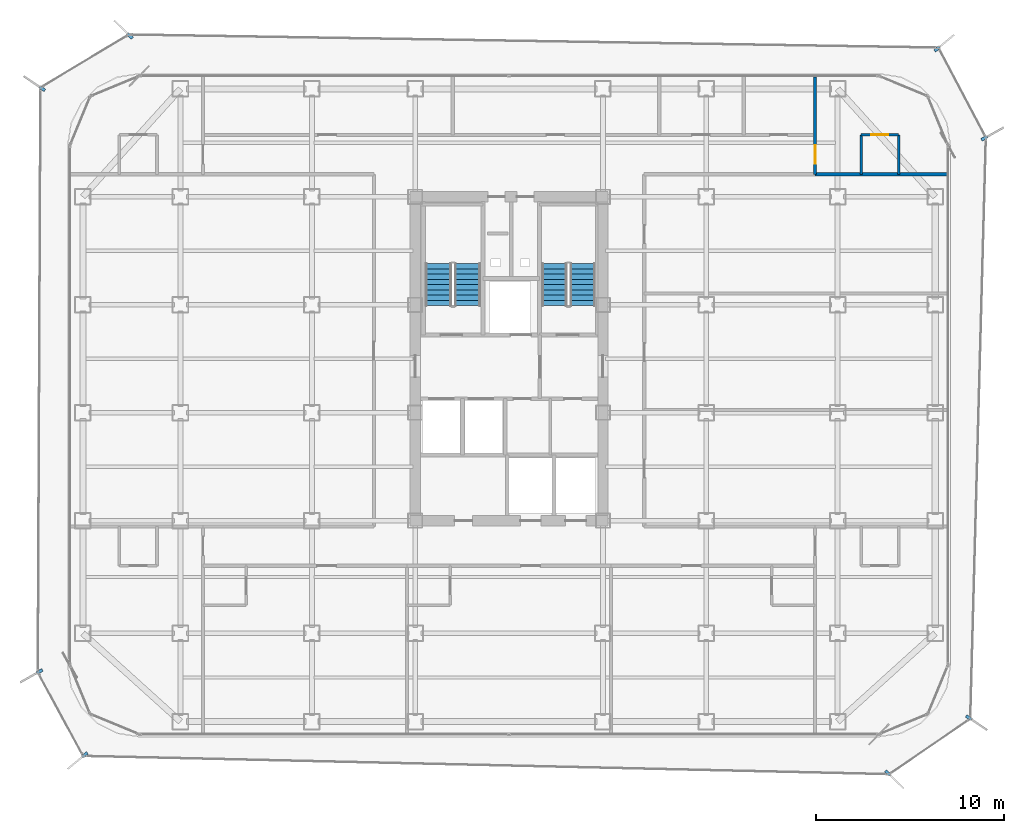
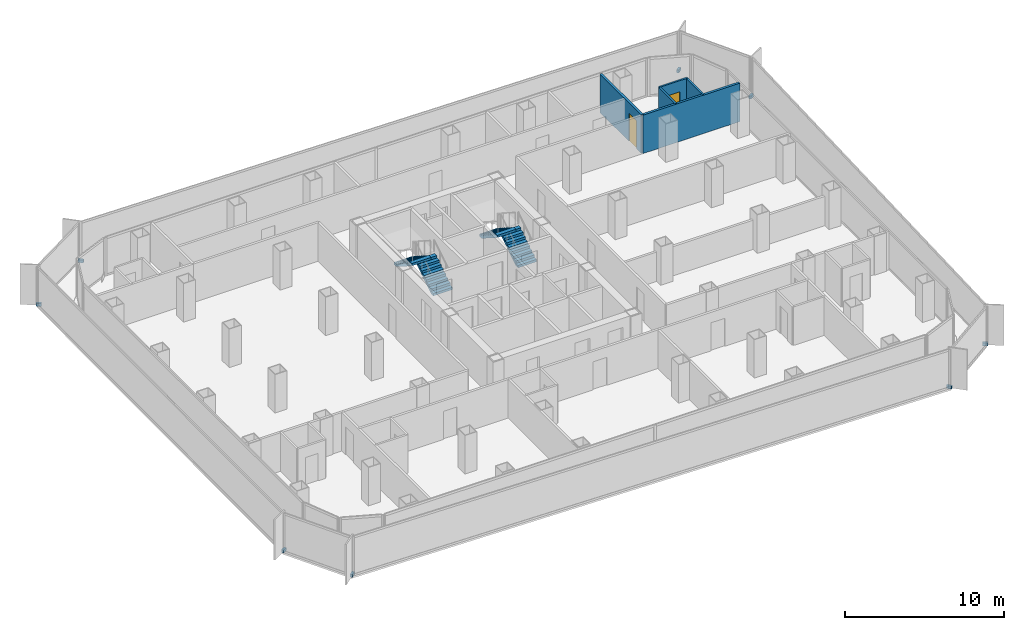
# One storey, part 18 of 21: 8 discrete accessories, 5 walls, 4 stair flights, 2 doors, 2 openings, 2 elements without a shape of their own.
"""IFC4 building model written with IfcOpenShell, lengths in metres."""

import ifcopenshell
import ifcopenshell.guid

model = None  # the IFC model being written
_history = None  # IfcOwnerHistory: only IFC2X3 demands one
_inside = {}  # id of a spatial element -> (the spatial element, [elements in it])
_under = {}  # id of a project, library or spatial element -> (it, [spatial elements below it])
_declared = {}  # id of a project -> (the project, [libraries it declares])
_typed = {}  # id of a type object -> (the type object, [elements of that type])
_made_of = {}  # id of a material, layer set ... -> (it, [elements and type objects made of it])


def new_model(schema):
    """Start an empty IFC model of exactly this schema.

    Asked for "IFC4X3", IfcOpenShell would pick the latest addendum, in which some entities
    have other attributes; the version numbers below select the first issue.
    IFC2X3 requires an IfcOwnerHistory on every rooted entity: one is made here for all.
    """
    global model, _history
    if schema == "IFC4X3":
        model = ifcopenshell.file(schema_version=(4, 3, 0, 0))
    else:
        model = ifcopenshell.file(schema=schema)
    _inside.clear()
    _under.clear()
    _declared.clear()
    _typed.clear()
    _made_of.clear()
    _history = None
    if model.schema == "IFC2X3":
        org = make("IfcOrganization", Name="unknown")
        user = make(
            "IfcPersonAndOrganization",
            ThePerson=make("IfcPerson", FamilyName="unknown"),
            TheOrganization=org,
        )
        app = make(
            "IfcApplication",
            ApplicationDeveloper=org,
            Version="unknown",
            ApplicationFullName="unknown",
            ApplicationIdentifier="unknown",
        )
        _history = make(
            "IfcOwnerHistory",
            OwningUser=user,
            OwningApplication=app,
            ChangeAction="ADDED",
            CreationDate=0,
        )
    return model


def make(cls, **values):
    """One entity of the class cls with the attributes given. An attribute that is None is left unset."""
    return model.create_entity(
        cls, **{name: value for name, value in values.items() if value is not None}
    )


def rooted(cls, **values):
    """An entity with a GlobalId (a new one), such as an element, a storey or a relation."""
    return make(cls, GlobalId=ifcopenshell.guid.new(), OwnerHistory=_history, **values)


def si_unit(unit_type, name, prefix=None):
    """IfcSIUnit, for example si_unit("LENGTHUNIT", "METRE", prefix="MILLI")."""
    return make("IfcSIUnit", UnitType=unit_type, Prefix=prefix, Name=name)


def assignment(units):
    """IfcUnitAssignment: the units of a project."""
    return None if units is None else make("IfcUnitAssignment", Units=units)


def point(xyz):
    """IfcCartesianPoint."""
    return None if xyz is None else make("IfcCartesianPoint", Coordinates=xyz)


def direction(xyz):
    """IfcDirection."""
    return None if xyz is None else make("IfcDirection", DirectionRatios=xyz)


def frame(location, z_axis=None, x_axis=None):
    """IfcAxis2Placement3D, a coordinate frame: its origin and axes. An axis left out is left unset."""
    return make(
        "IfcAxis2Placement3D",
        Location=point(location),
        Axis=direction(z_axis),
        RefDirection=direction(x_axis),
    )


def frame_2d(location, x_axis=None):
    """IfcAxis2Placement2D, a coordinate frame in the plane: its origin and x axis."""
    return make(
        "IfcAxis2Placement2D", Location=point(location), RefDirection=direction(x_axis)
    )


def origin():
    """The frame at (0, 0, 0) with its axes left unset."""
    return frame((0.0, 0.0, 0.0))


def origin_2d():
    """The frame at (0, 0) in the plane with its x axis left unset."""
    return frame_2d((0.0, 0.0))


def place(relative_to, where):
    """IfcLocalPlacement: puts the frame where relative to a parent placement (None: the world)."""
    return make(
        "IfcLocalPlacement", PlacementRelTo=relative_to, RelativePlacement=where
    )


def context(
    kind, dimensions, precision=None, world=None, true_north=None, identifier=None
):
    """IfcGeometricRepresentationContext, for example the 3D "Model" context."""
    return make(
        "IfcGeometricRepresentationContext",
        ContextIdentifier=identifier,
        ContextType=kind,
        CoordinateSpaceDimension=dimensions,
        Precision=precision,
        WorldCoordinateSystem=world,
        TrueNorth=true_north,
    )


def subcontext(parent, identifier, kind, view, scale=None):
    """IfcGeometricRepresentationSubContext, for example "Body" below "Model"."""
    return make(
        "IfcGeometricRepresentationSubContext",
        ContextIdentifier=identifier,
        ContextType=kind,
        ParentContext=parent,
        TargetScale=scale,
        TargetView=view,
    )


def project(units=None, contexts=None):
    """IfcProject with its units and contexts."""
    return rooted(
        "IfcProject",
        Name="project",
        RepresentationContexts=contexts,
        UnitsInContext=assignment(units),
    )


def spatial(cls, under=None, at=None, **own):
    """A site, building, storey or space (cls), placed at a placement, below another one or the project."""
    s = rooted(cls, ObjectPlacement=at, **own)
    if under is not None:
        _under.setdefault(under.id(), (under, []))[1].append(s)
    return s


def polyline(points):
    """IfcPolyline through the points."""
    return make("IfcPolyline", Points=[point(p) for p in points])


def profile(cls, at=None, kind="AREA", **sizes):
    """A parametric profile (cls). Its sizes go by their IFC names, for example OverallWidth=200.0."""
    return make(cls, ProfileType=kind, Position=at, **sizes)


def rectangle(**sizes):
    """IfcRectangleProfileDef."""
    return profile("IfcRectangleProfileDef", **sizes)


def outline(outer, holes=None, kind="AREA"):
    """IfcArbitraryClosedProfileDef: a profile drawn as a closed curve; with holes, ...WithVoids."""
    if holes is None:
        return make("IfcArbitraryClosedProfileDef", ProfileType=kind, OuterCurve=outer)
    return make(
        "IfcArbitraryProfileDefWithVoids",
        ProfileType=kind,
        OuterCurve=outer,
        InnerCurves=holes,
    )


def extrude(swept, where, along, depth):
    """IfcExtrudedAreaSolid: the profile swept, set in the frame where, extruded along a direction by depth."""
    return make(
        "IfcExtrudedAreaSolid",
        SweptArea=swept,
        Position=where,
        ExtrudedDirection=direction(along),
        Depth=depth,
    )


def shape(context_of_items, identifier, shape_type, items):
    """IfcShapeRepresentation: the items that make up one representation, for example the "Body"."""
    return make(
        "IfcShapeRepresentation",
        ContextOfItems=context_of_items,
        RepresentationIdentifier=identifier,
        RepresentationType=shape_type,
        Items=items,
    )


def source(mapping_origin, context_of_items, identifier, shape_type, items):
    """IfcRepresentationMap: a shape defined once, which mapped items show again and again."""
    return make(
        "IfcRepresentationMap",
        MappingOrigin=mapping_origin,
        MappedRepresentation=shape(context_of_items, identifier, shape_type, items),
    )


def transform(
    local_origin,
    x_axis=None,
    y_axis=None,
    z_axis=None,
    scale=None,
    scale2=None,
    scale3=None,
    uniform=True,
):
    """IfcCartesianTransformationOperator3D, or its non-uniform kind. x_axis, y_axis, z_axis: its Axis1, 2, 3."""
    if uniform:
        return make(
            "IfcCartesianTransformationOperator3D",
            Axis1=direction(x_axis),
            Axis2=direction(y_axis),
            LocalOrigin=point(local_origin),
            Scale=scale,
            Axis3=direction(z_axis),
        )
    return make(
        "IfcCartesianTransformationOperator3DnonUniform",
        Axis1=direction(x_axis),
        Axis2=direction(y_axis),
        LocalOrigin=point(local_origin),
        Scale=scale,
        Axis3=direction(z_axis),
        Scale2=scale2,
        Scale3=scale3,
    )


def mapped(mapping_source, mapping_target):
    """IfcMappedItem: shows the shape of a source again, moved by a transform."""
    return make(
        "IfcMappedItem", MappingSource=mapping_source, MappingTarget=mapping_target
    )


def material(Name=None, Category=None):
    """IfcMaterial."""
    return make("IfcMaterial", Name=Name, Category=Category)


def layer(
    of_material, thickness, ventilated=None, Name=None, Category=None, Priority=None
):
    """IfcMaterialLayer: one layer of a wall or slab, of a material (None: an air gap)."""
    return make(
        "IfcMaterialLayer",
        Material=of_material,
        LayerThickness=thickness,
        IsVentilated=ventilated,
        Name=Name,
        Category=Category,
        Priority=Priority,
    )


def layer_set(layers, Name=None):
    """IfcMaterialLayerSet."""
    return make("IfcMaterialLayerSet", MaterialLayers=layers, LayerSetName=Name)


def made_of(thing, what):
    """Note that an element or type object is made of a material, layer set ...; save() writes the relation."""
    if what is not None:
        _made_of.setdefault(what.id(), (what, []))[1].append(thing)
    return thing


def type_object(cls, material=None, **own):
    """A type object (cls), such as IfcWallType, which elements share."""
    return made_of(rooted(cls, **own), material)


def element(
    cls,
    number,
    at=None,
    inside=None,
    cuts=None,
    type_object=None,
    material=None,
    context=None,
    identifier="Body",
    shape_type=None,
    held_by="IfcProductDefinitionShape",
    body=None,
    shapes=None,
    **own,
):
    """One element of the class cls, such as IfcWall. Its Tag is "e" and its number.

    at: its placement. inside: the storey or other place that contains it. cuts: it is an
    opening in that element (IfcRelVoidsElement). A single representation is given by context,
    identifier, shape_type and body (its items); several are given by shapes. held_by: the class
    of the entity that holds the representations. save() writes the other relations.
    """
    e = rooted(cls, Tag="e%d" % number, ObjectPlacement=at, **own)
    if body is not None:
        shapes = [shape(context, identifier, shape_type, body)]
    if shapes is not None:
        e.Representation = make(held_by, Representations=shapes)
    if inside is not None:
        _inside.setdefault(inside.id(), (inside, []))[1].append(e)
    if cuts is not None:
        rooted(
            "IfcRelVoidsElement", RelatingBuildingElement=cuts, RelatedOpeningElement=e
        )
    if type_object is not None:
        _typed.setdefault(type_object.id(), (type_object, []))[1].append(e)
    return made_of(e, material)


def fill(opening, filler):
    """IfcRelFillsElement: the door or window that sits in an opening."""
    return rooted(
        "IfcRelFillsElement",
        RelatingOpeningElement=opening,
        RelatedBuildingElement=filler,
    )


def aggregate(whole, parts):
    """IfcRelAggregates: a whole, such as a stair, and the parts it consists of."""
    return rooted("IfcRelAggregates", RelatingObject=whole, RelatedObjects=parts)


def save(model, path):
    """Write the relations noted so far, then the file.

    IfcRelAggregates (storeys below a building ...), IfcRelContainedInSpatialStructure (elements
    in a storey), IfcRelDefinesByType, IfcRelAssociatesMaterial and IfcRelDeclares: one each for
    every whole, place, type object, material and project.
    """
    for whole, parts in _under.values():
        aggregate(whole, parts)
    for where, things in _inside.values():
        rooted(
            "IfcRelContainedInSpatialStructure",
            RelatedElements=things,
            RelatingStructure=where,
        )
    for kind, things in _typed.values():
        rooted("IfcRelDefinesByType", RelatedObjects=things, RelatingType=kind)
    for what, things in _made_of.values():
        rooted("IfcRelAssociatesMaterial", RelatedObjects=things, RelatingMaterial=what)
    for by, libraries in _declared.values():
        rooted("IfcRelDeclares", RelatingContext=by, RelatedDefinitions=libraries)
    model.write(path)


model = new_model("IFC4")

# Units and contexts
model_context = context("Model", 3, precision=1e-05, world=origin(), true_north=direction((0.0, 1.0)))
body_context = subcontext(model_context, "Body", "Model", "MODEL_VIEW")
ifc_project = project(units=[si_unit("LENGTHUNIT", "METRE"), si_unit("AREAUNIT", "SQUARE_METRE"), si_unit("VOLUMEUNIT", "CUBIC_METRE"), si_unit("PLANEANGLEUNIT", "RADIAN"), si_unit("MASSUNIT", "GRAM", prefix="KILO")], contexts=[model_context])

# Site, building, storey
site_placement = place(None, origin())
site = spatial("IfcSite", under=ifc_project, at=site_placement, CompositionType="ELEMENT")
building_placement = place(site_placement, origin())
building = spatial("IfcBuilding", under=site, at=building_placement, Name="Kolveth Station Tower", CompositionType="ELEMENT")
storey_placement = place(building_placement, frame((0.0, 0.0, 118.300048828125)))
storey = spatial("IfcBuildingStorey", under=building, at=storey_placement, Name="L32", CompositionType="ELEMENT", Elevation=118.300048828125)

# Walls
ifc_material_1 = material(Name="Moisture-resistant gypsum partition")
ifc_layer_1 = layer(ifc_material_1, 0.135009765625)
ifc_layer_set_1 = layer_set([ifc_layer_1], Name="Moisture-resistant gypsum partition")
wall_type_1 = type_object("IfcWallType", Name="Wall_IW-135", PredefinedType="PARTITIONING", material=ifc_layer_set_1)
for number, where, z_axis, x_axis, name in (
    (1, (42.25, 29.949951171875, 0.0), (0.0, 0.0, 1.0), (0.0, 1.0, 0.0), "L32 Partition Wall WL-L32-ES2-BV1"),
    (2, (44.25, 29.949951171875, 0.0), (0.0, 0.0, 1.0), (0.0, 1.0, 0.0), "L32 Partition Wall WL-L32-ES2-BV2"),
):
    element("IfcWall", number, at=place(storey_placement, frame(where, z_axis=z_axis, x_axis=x_axis)), inside=storey, type_object=wall_type_1, Name=name, PredefinedType="PARTITIONING", context=body_context, shape_type="SweptSolid", body=[
        extrude(rectangle(XDim=2.10009765625, YDim=0.135009765625, at=frame_2d((1.050048828125, 0.0))), origin(), (0.0, 0.0, 1.0), 2.949951171875),
    ])

# Wall, opening, door
wall_1_placement = place(storey_placement, frame((42.25, 32.050048828125, 0.0), z_axis=(0.0, 0.0, 1.0), x_axis=(1.0, 0.0, 0.0)))
wall_1 = element("IfcWall", 3, at=wall_1_placement, inside=storey, type_object=wall_type_1, Name="L32 Partition Wall WL-L32-ES2-BH", PredefinedType="PARTITIONING", context=body_context, shape_type="SweptSolid", body=[
    extrude(rectangle(XDim=2.0, YDim=0.135009765625, at=frame_2d((1.0, 0.0))), origin(), (0.0, 0.0, 1.0), 2.949951171875),
])
opening_1_placement = place(wall_1_placement, frame((0.5400390625, 0.0, 0.0)))
opening_1 = element("IfcOpeningElement", 4, at=opening_1_placement, cuts=wall_1, Name="Opening ID2", PredefinedType="OPENING", context=body_context, shape_type="SweptSolid", body=[
    extrude(rectangle(XDim=0.919921875, YDim=2.10009765625, at=frame_2d((0.4599609375, 1.050048828125))), frame((0.0, 0.077392578125, 0.0), z_axis=(0.0, -1.0, 0.0), x_axis=(1.0, 0.0, 0.0)), (0.0, 0.0, 1.0), 0.155029296875),
])
ifc_material_2 = material(Name="Moisture-resistant hardwood leaf", Category="wood")
door_type_1 = type_object("IfcDoorType", Name="Door_ID2", OperationType="NOTDEFINED", PredefinedType="DOOR", material=ifc_material_2)
door_1_placement = place(opening_1_placement, frame((0.919921875, 0.0, 0.0), z_axis=(0.0, 0.0, 1.0), x_axis=(-1.0, 0.0, 0.0)))
door_1 = element("IfcDoor", 5, at=door_1_placement, inside=storey, type_object=door_type_1, Name="L32 Hotel Corner Suite ES2 En-Suite Door", OperationType="SINGLE_SWING_LEFT", OverallHeight=2.10009765625, OverallWidth=0.919921875, PredefinedType="DOOR", context=body_context, shape_type="SweptSolid", body=[
    extrude(rectangle(XDim=0.919921875, YDim=2.10009765625, at=frame_2d((0.4599609375, 1.050048828125))), frame((0.0, 0.02490234375, 0.0), z_axis=(0.0, -1.0, 0.0), x_axis=(1.0, 0.0, 0.0)), (0.0, 0.0, 1.0), 0.050048828125),
])
fill(opening_1, door_1)

ifc_material_3 = material(Name="Acoustic double-stud gypsum partition")
ifc_layer_2 = layer(ifc_material_3, 0.1650390625)
ifc_layer_set_2 = layer_set([ifc_layer_2], Name="Acoustic double-stud gypsum partition")
wall_type_2 = type_object("IfcWallType", Name="Wall_IW-165", PredefinedType="PARTITIONING", material=ifc_layer_set_2)
wall_2_placement = place(storey_placement, frame((39.800048828125, 29.949951171875, 0.0), z_axis=(0.0, 0.0, 1.0), x_axis=(0.0, 1.0, 0.0)))
wall_2 = element("IfcWall", 6, at=wall_2_placement, inside=storey, type_object=wall_type_2, Name="L32 Partition Wall WL-L32-END-EN", PredefinedType="PARTITIONING", context=body_context, shape_type="SweptSolid", body=[
    extrude(rectangle(XDim=5.18994140625, YDim=0.1650390625, at=frame_2d((2.594970703125, 0.0))), origin(), (0.0, 0.0, 1.0), 2.949951171875),
])
opening_2_placement = place(wall_2_placement, frame((0.550048828125, 0.0, 0.0)))
opening_2 = element("IfcOpeningElement", 7, at=opening_2_placement, cuts=wall_2, Name="Opening FD3", PredefinedType="OPENING", context=body_context, shape_type="SweptSolid", body=[
    extrude(rectangle(XDim=1.0, YDim=2.14990234375, at=frame_2d((0.5, 1.074951171875))), frame((0.0, 0.092529296875, 0.0), z_axis=(0.0, -1.0, 0.0), x_axis=(1.0, 0.0, 0.0)), (0.0, 0.0, 1.0), 0.18505859375),
])
ifc_material_4 = material(Name="Fire-rated hardwood leaf and aluminium frame", Category="wood")
door_type_2 = type_object("IfcDoorType", Name="Door_FD3", OperationType="NOTDEFINED", PredefinedType="DOOR", material=ifc_material_4)
door_2_placement = place(opening_2_placement, frame((1.0, 0.0, 0.0), z_axis=(0.0, 0.0, 1.0), x_axis=(-1.0, 0.0, 0.0)))
door_2 = element("IfcDoor", 8, at=door_2_placement, inside=storey, type_object=door_type_2, Name="L32 Hotel Corner Suite ES2 Entrance Door", OperationType="SINGLE_SWING_RIGHT", OverallHeight=2.14990234375, OverallWidth=1.0, PredefinedType="DOOR", context=body_context, shape_type="SweptSolid", body=[
    extrude(rectangle(XDim=1.0, YDim=2.14990234375, at=frame_2d((0.5, 1.074951171875))), frame((0.0, 0.02490234375, 0.0), z_axis=(0.0, -1.0, 0.0), x_axis=(1.0, 0.0, 0.0)), (0.0, 0.0, 1.0), 0.050048828125),
])
fill(opening_2, door_2)

# Wall
wall_3_placement = place(storey_placement, frame((39.800048828125, 29.949951171875, 0.0), z_axis=(0.0, 0.0, 1.0), x_axis=(1.0, 0.0, 0.0)))
element("IfcWall", 9, at=wall_3_placement, inside=storey, type_object=wall_type_2, Name="L32 Partition Wall WL-L32-EM2", PredefinedType="PARTITIONING", context=body_context, shape_type="SweptSolid", body=[
    extrude(rectangle(XDim=7.0400390625, YDim=0.1650390625, at=frame_2d((3.52001953125, 0.0))), origin(), (0.0, 0.0, 1.0), 2.949951171875),
])

# Stair, stair flights
ifc_material_5 = material(Name="Concrete C40/50", Category="concrete")
stair_type_1 = type_object("IfcStairType", Name="Stair_ST1", PredefinedType="HALF_TURN_STAIR", material=ifc_material_5)
stair_1_placement = place(storey_placement, origin())
stair_1 = element("IfcStair", 10, at=stair_1_placement, inside=storey, type_object=stair_type_1, Name="L32 Tower Exit Stair ST1", PredefinedType="HALF_TURN_STAIR")
ifc_layer_3 = layer(ifc_material_5, 0.179931640625)
ifc_layer_set_3 = layer_set([ifc_layer_3], Name="Concrete C40/50")
stair_flight_type_1 = type_object("IfcStairFlightType", Name="Flight_ST1", PredefinedType="STRAIGHT", material=ifc_layer_set_3)
stair_flight_1_placement = place(storey_placement, frame((21.300048828125, 22.949951171875, 0.0), z_axis=(0.0, 0.0, 1.0), x_axis=(0.0, 1.0, 0.0)))
stair_flight_1 = element("IfcStairFlight", 11, at=stair_flight_1_placement, type_object=stair_flight_type_1, Name="ST1 flight 1", NumberOfRisers=9, NumberOfTreads=8, PredefinedType="STRAIGHT", RiserHeight=0.177777778, TreadLength=0.28, context=body_context, shape_type="SweptSolid", body=[
    extrude(outline(polyline([(0.0, 0.0), (0.0, 0.177734375), (0.280029296875, 0.177734375), (0.280029296875, 0.35546875), (0.56005859375, 0.35546875), (0.56005859375, 0.533447265625), (0.840087890625, 0.533447265625), (0.840087890625, 0.711181640625), (1.1201171875, 0.711181640625), (1.1201171875, 0.888916015625), (1.39990234375, 0.888916015625), (1.39990234375, 1.066650390625), (1.679931640625, 1.066650390625), (1.679931640625, 1.244384765625), (1.9599609375, 1.244384765625), (1.9599609375, 1.422119140625), (2.239990234375, 1.422119140625), (2.239990234375, 1.60009765625), (2.239990234375, 1.24462890625), (0.27978515625, 0.0), (0.0, 0.0)])), frame((0.0, 0.699951171875, 0.0), z_axis=(0.0, -1.0, 0.0), x_axis=(1.0, 0.0, 0.0)), (0.0, 0.0, 1.0), 1.39990234375),
])
stair_flight_2_placement = place(storey_placement, frame((19.739990234375, 25.18994140625, 1.599853515625), z_axis=(0.0, 0.0, 1.0), x_axis=(0.0, -1.0, 0.0)))
stair_flight_2 = element("IfcStairFlight", 12, at=stair_flight_2_placement, type_object=stair_flight_type_1, Name="ST1 flight 2", NumberOfRisers=9, NumberOfTreads=8, PredefinedType="STRAIGHT", RiserHeight=0.177777778, TreadLength=0.28, context=body_context, shape_type="SweptSolid", body=[
    extrude(outline(polyline([(0.0, 0.0), (0.0, 0.177734375), (0.280029296875, 0.177734375), (0.280029296875, 0.35546875), (0.56005859375, 0.35546875), (0.56005859375, 0.533447265625), (0.840087890625, 0.533447265625), (0.840087890625, 0.711181640625), (1.1201171875, 0.711181640625), (1.1201171875, 0.888916015625), (1.39990234375, 0.888916015625), (1.39990234375, 1.066650390625), (1.679931640625, 1.066650390625), (1.679931640625, 1.244384765625), (1.9599609375, 1.244384765625), (1.9599609375, 1.422119140625), (2.239990234375, 1.422119140625), (2.239990234375, 1.60009765625), (2.239990234375, 1.24462890625), (0.27978515625, 0.0), (0.0, 0.0)])), frame((0.0, 0.699951171875, 0.0), z_axis=(0.0, -1.0, 0.0), x_axis=(1.0, 0.0, 0.0)), (0.0, 0.0, 1.0), 1.39990234375),
])
aggregate(stair_1, [stair_flight_1, stair_flight_2])

stair_type_2 = type_object("IfcStairType", Name="Stair_ST2", PredefinedType="HALF_TURN_STAIR", material=ifc_material_5)
stair_2_placement = place(storey_placement, origin())
stair_2 = element("IfcStair", 13, at=stair_2_placement, inside=storey, type_object=stair_type_2, Name="L32 Tower Exit Stair ST2", PredefinedType="HALF_TURN_STAIR")
ifc_layer_4 = layer(ifc_material_5, 0.179931640625)
ifc_layer_set_4 = layer_set([ifc_layer_4], Name="Concrete C40/50")
stair_flight_type_2 = type_object("IfcStairFlightType", Name="Flight_ST2", PredefinedType="STRAIGHT", material=ifc_layer_set_4)
stair_flight_3_placement = place(storey_placement, frame((27.425048828125, 22.949951171875, 0.0), z_axis=(0.0, 0.0, 1.0), x_axis=(0.0, 1.0, 0.0)))
stair_flight_3 = element("IfcStairFlight", 14, at=stair_flight_3_placement, type_object=stair_flight_type_2, Name="ST2 flight 1", NumberOfRisers=9, NumberOfTreads=8, PredefinedType="STRAIGHT", RiserHeight=0.177777778, TreadLength=0.28, context=body_context, shape_type="SweptSolid", body=[
    extrude(outline(polyline([(0.0, 0.0), (0.0, 0.177734375), (0.280029296875, 0.177734375), (0.280029296875, 0.35546875), (0.56005859375, 0.35546875), (0.56005859375, 0.533447265625), (0.840087890625, 0.533447265625), (0.840087890625, 0.711181640625), (1.1201171875, 0.711181640625), (1.1201171875, 0.888916015625), (1.39990234375, 0.888916015625), (1.39990234375, 1.066650390625), (1.679931640625, 1.066650390625), (1.679931640625, 1.244384765625), (1.9599609375, 1.244384765625), (1.9599609375, 1.422119140625), (2.239990234375, 1.422119140625), (2.239990234375, 1.60009765625), (2.239990234375, 1.24462890625), (0.27978515625, 0.0), (0.0, 0.0)])), frame((0.0, 0.675048828125, 0.0), z_axis=(0.0, -1.0, 0.0), x_axis=(1.0, 0.0, 0.0)), (0.0, 0.0, 1.0), 1.35009765625),
])
stair_flight_4_placement = place(storey_placement, frame((25.9150390625, 25.18994140625, 1.599853515625), z_axis=(0.0, 0.0, 1.0), x_axis=(0.0, -1.0, 0.0)))
stair_flight_4 = element("IfcStairFlight", 15, at=stair_flight_4_placement, type_object=stair_flight_type_2, Name="ST2 flight 2", NumberOfRisers=9, NumberOfTreads=8, PredefinedType="STRAIGHT", RiserHeight=0.177777778, TreadLength=0.28, context=body_context, shape_type="SweptSolid", body=[
    extrude(outline(polyline([(0.0, 0.0), (0.0, 0.177734375), (0.280029296875, 0.177734375), (0.280029296875, 0.35546875), (0.56005859375, 0.35546875), (0.56005859375, 0.533447265625), (0.840087890625, 0.533447265625), (0.840087890625, 0.711181640625), (1.1201171875, 0.711181640625), (1.1201171875, 0.888916015625), (1.39990234375, 0.888916015625), (1.39990234375, 1.066650390625), (1.679931640625, 1.066650390625), (1.679931640625, 1.244384765625), (1.9599609375, 1.244384765625), (1.9599609375, 1.422119140625), (2.239990234375, 1.422119140625), (2.239990234375, 1.60009765625), (2.239990234375, 1.24462890625), (0.27978515625, 0.0), (0.0, 0.0)])), frame((0.0, 0.675048828125, 0.0), z_axis=(0.0, -1.0, 0.0), x_axis=(1.0, 0.0, 0.0)), (0.0, 0.0, 1.0), 1.35009765625),
])
aggregate(stair_2, [stair_flight_3, stair_flight_4])

# Discrete accessories
ifc_material_6 = material(Name="Steel S355", Category="steel")
discrete_accessory_type = type_object("IfcDiscreteAccessoryType", Name="Bracket_BK1", PredefinedType="BRACKET", material=ifc_material_6)
shared_shape = source(origin(), body_context, "Body", "SweptSolid", [
    extrude(rectangle(XDim=0.35009765625, YDim=0.159912109375, at=origin_2d()), origin(), (0.0, 0.0, 1.0), 0.219970703125),
])
for number, where, z_axis, x_axis, name in (
    (16, (43.674072265625, -1.93701171875, -0.06005859375), (0.0, 0.0, 1.0), (0.717518725918, -0.696539214946, 0.0), "L32 Double-Skin Radial Tie Bracket 1"),
    (17, (47.988037109375, 1.006103515625, -0.06005859375), (0.0, 0.0, 1.0), (0.827080574275, -0.562083377852, 0.0), "L32 Double-Skin Radial Tie Bracket 2"),
    (18, (48.81494140625, 31.8701171875, -0.06005859375), (0.0, 0.0, 1.0), (0.871898392604, 0.48968683153, 0.0), "L32 Double-Skin Radial Tie Bracket 3"),
    (19, (46.300048828125, 36.626953125, -0.06005859375), (0.0, 0.0, 1.0), (0.768618578918, 0.639707339446, 0.0), "L32 Double-Skin Radial Tie Bracket 4"),
    (20, (3.31591796875, 37.31494140625, -0.06005859375), (0.0, 0.0, 1.0), (-0.716301943425, 0.697790459842, 0.0), "L32 Double-Skin Radial Tie Bracket 5"),
    (21, (-1.365966796875, 34.511962890625, -0.06005859375), (0.0, 0.0, 1.0), (-0.827668733006, 0.561216953062, 0.0), "L32 Double-Skin Radial Tie Bracket 6"),
    (22, (-1.5029296875, 3.469970703125, -0.06005859375), (0.0, 0.0, 1.0), (-0.869839554062, -0.493334724289, 0.0), "L32 Double-Skin Radial Tie Bracket 7"),
    (23, (0.903076171875, -0.971923828125, -0.06005859375), (0.0, 0.0, 1.0), (-0.771735588227, -0.635943536695, 0.0), "L32 Double-Skin Radial Tie Bracket 8"),
):
    element("IfcDiscreteAccessory", number, at=place(storey_placement, frame(where, z_axis=z_axis, x_axis=x_axis)), inside=storey, type_object=discrete_accessory_type, Name=name, PredefinedType="BRACKET", context=body_context, shape_type="MappedRepresentation", body=[
        mapped(shared_shape, transform((0.0, 0.0, 0.0), x_axis=(1.0, 0.0, 0.0), y_axis=(0.0, 1.0, 0.0), z_axis=(0.0, 0.0, 1.0), scale=1.0)),
    ])

save(model, "model.ifc")
